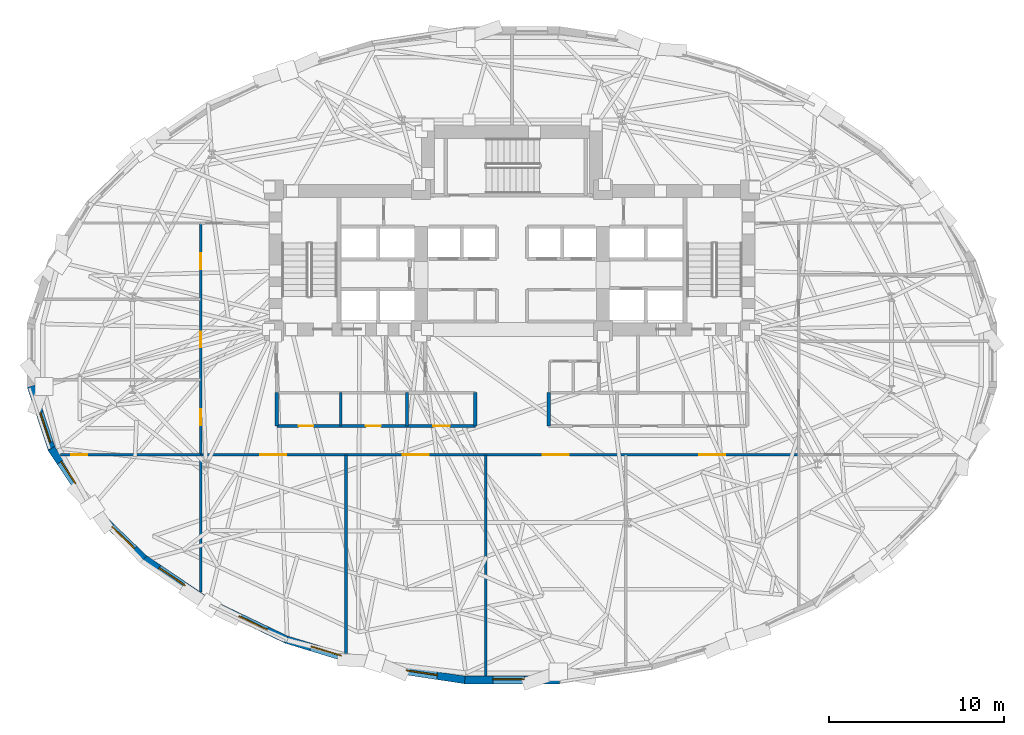
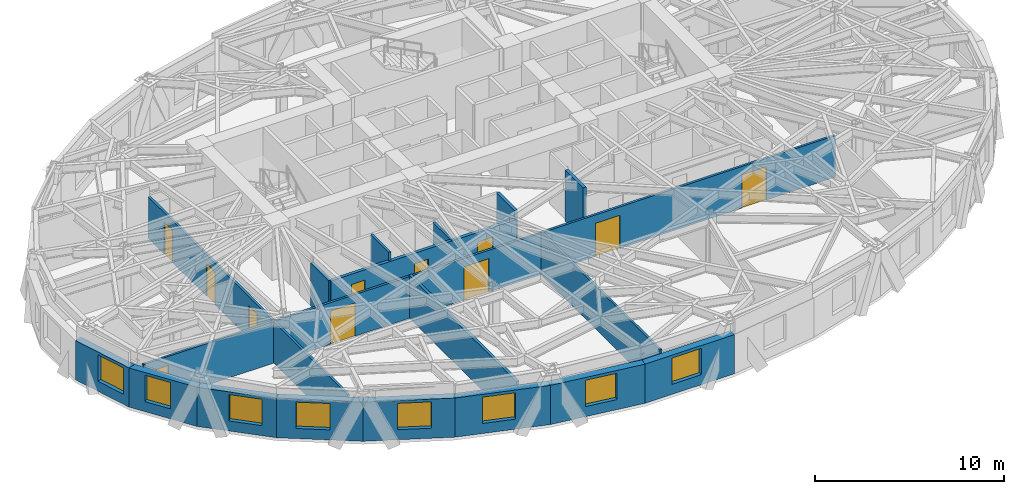
# One storey, part 6 of 15: 19 walls, 11 doors, 8 windows, 19 openings.
"""IFC4 building model written with IfcOpenShell, lengths in metres."""

from ifc_helpers import new_model, si_unit, direction, frame, frame_2d, origin, place, context, subcontext, project, spatial, rectangle, extrude, material, layer, layer_set, type_object, element, fill, save


model = new_model("IFC4")

# Units and contexts
model_context = context("Model", 3, precision=1e-05, world=origin(), true_north=direction((0.0, 1.0)))
body_context = subcontext(model_context, "Body", "Model", "MODEL_VIEW")
ifc_project = project(units=[si_unit("LENGTHUNIT", "METRE"), si_unit("AREAUNIT", "SQUARE_METRE"), si_unit("VOLUMEUNIT", "CUBIC_METRE"), si_unit("PLANEANGLEUNIT", "RADIAN"), si_unit("MASSUNIT", "GRAM", prefix="KILO")], contexts=[model_context])

# Site, building, storey
site_placement = place(None, origin())
site = spatial("IfcSite", under=ifc_project, at=site_placement, CompositionType="ELEMENT")
building_placement = place(site_placement, origin())
building = spatial("IfcBuilding", under=site, at=building_placement, Name="Keldmark Tower", CompositionType="ELEMENT")
storey_placement = place(building_placement, frame((0.0, 0.0, 110.60009765625)))
storey = spatial("IfcBuildingStorey", under=building, at=storey_placement, Name="L29", CompositionType="ELEMENT", Elevation=110.60009765625)

# Wall, openings, doors
ifc_material_1 = material(Name="Acoustic Double-Layer Gypsum Corridor Partition", Category="gypsum")
ifc_layer_1 = layer(ifc_material_1, 0.139892578125)
ifc_layer_set_1 = layer_set([ifc_layer_1], Name="Acoustic Double-Layer Gypsum Corridor Partition")
wall_type_1 = type_object("IfcWallType", Name="Acoustic Corridor Partition 140 mm", PredefinedType="PARTITIONING", material=ifc_layer_set_1)
wall_1_placement = place(storey_placement, frame((-17.800048828125, -5.699951171875, 0.0), z_axis=(0.0, 0.0, 1.0), x_axis=(1.0, 0.0, 0.0)))
wall_1 = element("IfcWall", 1, at=wall_1_placement, inside=storey, type_object=wall_type_1, Name="L29 Acoustic Corridor Partition 140 mm COR-S", PredefinedType="PARTITIONING", context=body_context, shape_type="SweptSolid", body=[
    extrude(rectangle(XDim=34.199951171875, YDim=0.139892578125, at=frame_2d((17.10009765625, 0.0))), origin(), (0.0, 0.0, 1.0), 2.68798828125),
])
opening_1_placement = place(wall_1_placement, frame((3.39990234375, 0.0, 0.0)))
opening_1 = element("IfcOpeningElement", 2, at=opening_1_placement, cuts=wall_1, Name="Opening D-CF150", PredefinedType="OPENING", context=body_context, shape_type="SweptSolid", body=[
    extrude(rectangle(XDim=1.5, YDim=2.14990234375, at=frame_2d((0.75, 1.074951171875))), frame((0.0, 0.079833984375, 0.0), z_axis=(0.0, -1.0, 0.0), x_axis=(1.0, 0.0, 0.0)), (0.0, 0.0, 1.0), 0.159912109375),
])
opening_2_placement = place(wall_1_placement, frame((11.550048828125, 0.0, 0.0)))
opening_2 = element("IfcOpeningElement", 3, at=opening_2_placement, cuts=wall_1, Name="Opening D-CF150", PredefinedType="OPENING", context=body_context, shape_type="SweptSolid", body=[
    extrude(rectangle(XDim=1.5, YDim=2.14990234375, at=frame_2d((0.75, 1.074951171875))), frame((0.0, 0.079833984375, 0.0), z_axis=(0.0, -1.0, 0.0), x_axis=(1.0, 0.0, 0.0)), (0.0, 0.0, 1.0), 0.159912109375),
])
opening_3_placement = place(wall_1_placement, frame((19.550048828125, 0.0, 0.0)))
opening_3 = element("IfcOpeningElement", 4, at=opening_3_placement, cuts=wall_1, Name="Opening D-CF150", PredefinedType="OPENING", context=body_context, shape_type="SweptSolid", body=[
    extrude(rectangle(XDim=1.5, YDim=2.14990234375, at=frame_2d((0.75, 1.074951171875))), frame((0.0, 0.079833984375, 0.0), z_axis=(0.0, -1.0, 0.0), x_axis=(1.0, 0.0, 0.0)), (0.0, 0.0, 1.0), 0.159912109375),
])
opening_4_placement = place(wall_1_placement, frame((28.5, 0.0, 0.0)))
opening_4 = element("IfcOpeningElement", 5, at=opening_4_placement, cuts=wall_1, Name="Opening D-CF150", PredefinedType="OPENING", context=body_context, shape_type="SweptSolid", body=[
    extrude(rectangle(XDim=1.5, YDim=2.14990234375, at=frame_2d((0.75, 1.074951171875))), frame((0.0, 0.079833984375, 0.0), z_axis=(0.0, -1.0, 0.0), x_axis=(1.0, 0.0, 0.0)), (0.0, 0.0, 1.0), 0.159912109375),
])
ifc_material_2 = material(Name="Acoustic Timber and Tempered Glass Double Door", Category="wood")
door_type_1 = type_object("IfcDoorType", Name="Conference Double Door 1500x2150", OperationType="DOUBLE_DOOR_SINGLE_SWING", PredefinedType="DOOR", material=ifc_material_2)
door_1_placement = place(opening_1_placement, origin())
door_1 = element("IfcDoor", 6, at=door_1_placement, inside=storey, type_object=door_type_1, Name="L29 Conference Double Door 1500x2150 D-SR-1-L29", OperationType="DOUBLE_DOOR_SINGLE_SWING", OverallHeight=2.14990234375, OverallWidth=1.5, PredefinedType="DOOR", context=body_context, shape_type="SweptSolid", body=[
    extrude(rectangle(XDim=1.5, YDim=2.14990234375, at=frame_2d((0.75, 1.074951171875))), frame((0.0, 0.02490234375, 0.0), z_axis=(0.0, -1.0, 0.0), x_axis=(1.0, 0.0, 0.0)), (0.0, 0.0, 1.0), 0.050048828125),
])
fill(opening_1, door_1)
door_2_placement = place(opening_2_placement, origin())
door_2 = element("IfcDoor", 7, at=door_2_placement, inside=storey, type_object=door_type_1, Name="L29 Conference Double Door 1500x2150 D-SR-2-L29", OperationType="DOUBLE_DOOR_SINGLE_SWING", OverallHeight=2.14990234375, OverallWidth=1.5, PredefinedType="DOOR", context=body_context, shape_type="SweptSolid", body=[
    extrude(rectangle(XDim=1.5, YDim=2.14990234375, at=frame_2d((0.75, 1.074951171875))), frame((0.0, 0.02490234375, 0.0), z_axis=(0.0, -1.0, 0.0), x_axis=(1.0, 0.0, 0.0)), (0.0, 0.0, 1.0), 0.050048828125),
])
fill(opening_2, door_2)
door_3_placement = place(opening_3_placement, origin())
door_3 = element("IfcDoor", 8, at=door_3_placement, inside=storey, type_object=door_type_1, Name="L29 Conference Double Door 1500x2150 D-SR-3-L29", OperationType="DOUBLE_DOOR_SINGLE_SWING", OverallHeight=2.14990234375, OverallWidth=1.5, PredefinedType="DOOR", context=body_context, shape_type="SweptSolid", body=[
    extrude(rectangle(XDim=1.5, YDim=2.14990234375, at=frame_2d((0.75, 1.074951171875))), frame((0.0, 0.02490234375, 0.0), z_axis=(0.0, -1.0, 0.0), x_axis=(1.0, 0.0, 0.0)), (0.0, 0.0, 1.0), 0.050048828125),
])
fill(opening_3, door_3)
door_4_placement = place(opening_4_placement, origin())
door_4 = element("IfcDoor", 9, at=door_4_placement, inside=storey, type_object=door_type_1, Name="L29 Conference Double Door 1500x2150 D-SR-4-L29", OperationType="DOUBLE_DOOR_SINGLE_SWING", OverallHeight=2.14990234375, OverallWidth=1.5, PredefinedType="DOOR", context=body_context, shape_type="SweptSolid", body=[
    extrude(rectangle(XDim=1.5, YDim=2.14990234375, at=frame_2d((0.75, 1.074951171875))), frame((0.0, 0.02490234375, 0.0), z_axis=(0.0, -1.0, 0.0), x_axis=(1.0, 0.0, 0.0)), (0.0, 0.0, 1.0), 0.050048828125),
])
fill(opening_4, door_4)

wall_2_placement = place(storey_placement, frame((-17.800048828125, -13.544921875, 0.0), z_axis=(0.0, 0.0, 1.0), x_axis=(0.0, 1.0, 0.0)))
wall_2 = element("IfcWall", 10, at=wall_2_placement, inside=storey, type_object=wall_type_1, Name="L29 Acoustic Corridor Partition 140 mm COR-W", PredefinedType="PARTITIONING", context=body_context, shape_type="SweptSolid", body=[
    extrude(rectangle(XDim=21.094970703125, YDim=0.139892578125, at=frame_2d((10.54736328125, 0.0))), origin(), (0.0, 0.0, 1.0), 2.68798828125),
])
opening_5_placement = place(wall_2_placement, frame((9.544677734375, 0.0, 0.0)))
opening_5 = element("IfcOpeningElement", 11, at=opening_5_placement, cuts=wall_2, Name="Opening D-IN090", PredefinedType="OPENING", context=body_context, shape_type="SweptSolid", body=[
    extrude(rectangle(XDim=0.89990234375, YDim=2.10009765625, at=frame_2d((0.449951171875, 1.050048828125))), frame((0.0, 0.079833984375, 0.0), z_axis=(0.0, -1.0, 0.0), x_axis=(1.0, 0.0, 0.0)), (0.0, 0.0, 1.0), 0.159912109375),
])
opening_6_placement = place(wall_2_placement, frame((13.99462890625, 0.0, 0.0)))
opening_6 = element("IfcOpeningElement", 12, at=opening_6_placement, cuts=wall_2, Name="Opening D-IN090", PredefinedType="OPENING", context=body_context, shape_type="SweptSolid", body=[
    extrude(rectangle(XDim=0.89990234375, YDim=2.10009765625, at=frame_2d((0.449951171875, 1.050048828125))), frame((0.0, 0.079833984375, 0.0), z_axis=(0.0, -1.0, 0.0), x_axis=(1.0, 0.0, 0.0)), (0.0, 0.0, 1.0), 0.159912109375),
])
opening_7_placement = place(wall_2_placement, frame((18.469482421875, 0.0, 0.0)))
opening_7 = element("IfcOpeningElement", 13, at=opening_7_placement, cuts=wall_2, Name="Opening D-IN090", PredefinedType="OPENING", context=body_context, shape_type="SweptSolid", body=[
    extrude(rectangle(XDim=0.89990234375, YDim=2.10009765625, at=frame_2d((0.449951171875, 1.050048828125))), frame((0.0, 0.079833984375, 0.0), z_axis=(0.0, -1.0, 0.0), x_axis=(1.0, 0.0, 0.0)), (0.0, 0.0, 1.0), 0.159912109375),
])
ifc_material_3 = material(Name="Stained American White Oak Veneer", Category="wood")
door_type_2 = type_object("IfcDoorType", Name="Interior Door 900x2100", OperationType="NOTDEFINED", PredefinedType="DOOR", material=ifc_material_3)
door_5_placement = place(opening_5_placement, origin())
door_5 = element("IfcDoor", 14, at=door_5_placement, inside=storey, type_object=door_type_2, Name="L29 Interior Door 900x2100 D-WR-1-L29", OperationType="SINGLE_SWING_LEFT", OverallHeight=2.10009765625, OverallWidth=0.89990234375, PredefinedType="DOOR", context=body_context, shape_type="SweptSolid", body=[
    extrude(rectangle(XDim=0.89990234375, YDim=2.10009765625, at=frame_2d((0.449951171875, 1.050048828125))), frame((0.0, 0.02490234375, 0.0), z_axis=(0.0, -1.0, 0.0), x_axis=(1.0, 0.0, 0.0)), (0.0, 0.0, 1.0), 0.050048828125),
])
fill(opening_5, door_5)
door_6_placement = place(opening_6_placement, origin())
door_6 = element("IfcDoor", 15, at=door_6_placement, inside=storey, type_object=door_type_2, Name="L29 Interior Door 900x2100 D-WR-2-L29", OperationType="SINGLE_SWING_RIGHT", OverallHeight=2.10009765625, OverallWidth=0.89990234375, PredefinedType="DOOR", context=body_context, shape_type="SweptSolid", body=[
    extrude(rectangle(XDim=0.89990234375, YDim=2.10009765625, at=frame_2d((0.449951171875, 1.050048828125))), frame((0.0, 0.02490234375, 0.0), z_axis=(0.0, -1.0, 0.0), x_axis=(1.0, 0.0, 0.0)), (0.0, 0.0, 1.0), 0.050048828125),
])
fill(opening_6, door_6)
door_7_placement = place(opening_7_placement, origin())
door_7 = element("IfcDoor", 16, at=door_7_placement, inside=storey, type_object=door_type_2, Name="L29 Interior Door 900x2100 D-WR-3-L29", OperationType="SINGLE_SWING_LEFT", OverallHeight=2.10009765625, OverallWidth=0.89990234375, PredefinedType="DOOR", context=body_context, shape_type="SweptSolid", body=[
    extrude(rectangle(XDim=0.89990234375, YDim=2.10009765625, at=frame_2d((0.449951171875, 1.050048828125))), frame((0.0, 0.02490234375, 0.0), z_axis=(0.0, -1.0, 0.0), x_axis=(1.0, 0.0, 0.0)), (0.0, 0.0, 1.0), 0.050048828125),
])
fill(opening_7, door_7)

# Wall
ifc_material_4 = material(Name="STC-58 Insulated Tenant Demising Gypsum Partition", Category="gypsum")
ifc_layer_2 = layer(ifc_material_4, 0.175048828125)
ifc_layer_set_2 = layer_set([ifc_layer_2], Name="STC-58 Insulated Tenant Demising Gypsum Partition")
wall_type_2 = type_object("IfcWallType", Name="Demising Suite Partition 175 mm", PredefinedType="PARTITIONING", material=ifc_layer_set_2)
wall_3_placement = place(storey_placement, frame((-9.5, -17.06591796875, 0.0), z_axis=(0.0, 0.0, 1.0), x_axis=(0.0, 1.0, 0.0)))
element("IfcWall", 17, at=wall_3_placement, inside=storey, type_object=wall_type_2, Name="L29 Demising Suite Partition 175 mm S-DIV-1", PredefinedType="PARTITIONING", context=body_context, shape_type="SweptSolid", body=[
    extrude(rectangle(XDim=11.365966796875, YDim=0.175048828125, at=frame_2d((5.68310546875, 0.0))), origin(), (0.0, 0.0, 1.0), 2.762939453125),
])

# Wall, openings, doors
ifc_material_5 = material(Name="Heavy Acoustic Plumbing Chase Gypsum Assembly", Category="gypsum")
ifc_layer_3 = layer(ifc_material_5, 0.18994140625)
ifc_layer_set_3 = layer_set([ifc_layer_3], Name="Heavy Acoustic Plumbing Chase Gypsum Assembly")
wall_type_3 = type_object("IfcWallType", Name="Heavy Wet Wall 190 mm", PredefinedType="PLUMBINGWALL", material=ifc_layer_set_3)
wall_4_placement = place(storey_placement, frame((-13.449951171875, -4.050048828125, 0.0), z_axis=(0.0, 0.0, 1.0), x_axis=(1.0, 0.0, 0.0)))
wall_4 = element("IfcWall", 18, at=wall_4_placement, inside=storey, type_object=wall_type_3, Name="L29 Heavy Wet Wall 190 mm SPK-W-S", PredefinedType="PLUMBINGWALL", context=body_context, shape_type="SweptSolid", body=[
    extrude(rectangle(XDim=11.349853515625, YDim=0.18994140625, at=frame_2d((5.6748046875, 0.0))), origin(), (0.0, 0.0, 1.0), 2.762939453125),
])
opening_8_placement = place(wall_4_placement, frame((1.25, 0.0, 0.0)))
opening_8 = element("IfcOpeningElement", 19, at=opening_8_placement, cuts=wall_4, Name="Opening D-WC085", PredefinedType="OPENING", context=body_context, shape_type="SweptSolid", body=[
    extrude(rectangle(XDim=0.85009765625, YDim=2.10009765625, at=frame_2d((0.425048828125, 1.050048828125))), frame((0.0, 0.10498046875, 0.0), z_axis=(0.0, -1.0, 0.0), x_axis=(1.0, 0.0, 0.0)), (0.0, 0.0, 1.0), 0.2099609375),
])
opening_9_placement = place(wall_4_placement, frame((5.10009765625, 0.0, 0.0)))
opening_9 = element("IfcOpeningElement", 20, at=opening_9_placement, cuts=wall_4, Name="Opening D-WC085", PredefinedType="OPENING", context=body_context, shape_type="SweptSolid", body=[
    extrude(rectangle(XDim=0.85009765625, YDim=2.10009765625, at=frame_2d((0.425048828125, 1.050048828125))), frame((0.0, 0.10498046875, 0.0), z_axis=(0.0, -1.0, 0.0), x_axis=(1.0, 0.0, 0.0)), (0.0, 0.0, 1.0), 0.2099609375),
])
opening_10_placement = place(wall_4_placement, frame((8.949951171875, 0.0, 0.0)))
opening_10 = element("IfcOpeningElement", 21, at=opening_10_placement, cuts=wall_4, Name="Opening D-AWC95", PredefinedType="OPENING", context=body_context, shape_type="SweptSolid", body=[
    extrude(rectangle(XDim=0.949951171875, YDim=2.14990234375, at=frame_2d((0.47509765625, 1.074951171875))), frame((0.0, 0.10498046875, 0.0), z_axis=(0.0, -1.0, 0.0), x_axis=(1.0, 0.0, 0.0)), (0.0, 0.0, 1.0), 0.2099609375),
])
ifc_material_6 = material(Name="Painted Solid-Core Architectural Wood", Category="wood")
door_type_3 = type_object("IfcDoorType", Name="Accessible WC Door 950x2150", OperationType="NOTDEFINED", PredefinedType="DOOR", material=ifc_material_6)
door_8_placement = place(opening_10_placement, origin())
door_8 = element("IfcDoor", 22, at=door_8_placement, inside=storey, type_object=door_type_3, Name="L29 Accessible WC Door 950x2150 D-SPKW3-L29", OperationType="SINGLE_SWING_LEFT", OverallHeight=2.14990234375, OverallWidth=0.949951171875, PredefinedType="DOOR", context=body_context, shape_type="SweptSolid", body=[
    extrude(rectangle(XDim=0.949951171875, YDim=2.14990234375, at=frame_2d((0.47509765625, 1.074951171875))), frame((0.0, 0.02490234375, 0.0), z_axis=(0.0, -1.0, 0.0), x_axis=(1.0, 0.0, 0.0)), (0.0, 0.0, 1.0), 0.050048828125),
])
fill(opening_10, door_8)
ifc_material_7 = material(Name="Moisture-Sealed Painted Wood", Category="wood")
door_type_4 = type_object("IfcDoorType", Name="WC Door 850x2100", OperationType="NOTDEFINED", PredefinedType="DOOR", material=ifc_material_7)
door_9_placement = place(opening_8_placement, origin())
door_9 = element("IfcDoor", 23, at=door_9_placement, inside=storey, type_object=door_type_4, Name="L29 WC Door 850x2100 D-SPKW1-L29", OperationType="SINGLE_SWING_LEFT", OverallHeight=2.10009765625, OverallWidth=0.85009765625, PredefinedType="DOOR", context=body_context, shape_type="SweptSolid", body=[
    extrude(rectangle(XDim=0.85009765625, YDim=2.10009765625, at=frame_2d((0.425048828125, 1.050048828125))), frame((0.0, 0.02490234375, 0.0), z_axis=(0.0, -1.0, 0.0), x_axis=(1.0, 0.0, 0.0)), (0.0, 0.0, 1.0), 0.050048828125),
])
fill(opening_8, door_9)
door_10_placement = place(opening_9_placement, origin())
door_10 = element("IfcDoor", 24, at=door_10_placement, inside=storey, type_object=door_type_4, Name="L29 WC Door 850x2100 D-SPKW2-L29", OperationType="SINGLE_SWING_RIGHT", OverallHeight=2.10009765625, OverallWidth=0.85009765625, PredefinedType="DOOR", context=body_context, shape_type="SweptSolid", body=[
    extrude(rectangle(XDim=0.85009765625, YDim=2.10009765625, at=frame_2d((0.425048828125, 1.050048828125))), frame((0.0, 0.02490234375, 0.0), z_axis=(0.0, -1.0, 0.0), x_axis=(1.0, 0.0, 0.0)), (0.0, 0.0, 1.0), 0.050048828125),
])
fill(opening_9, door_10)

# Walls
wall_5_placement = place(storey_placement, frame((-13.449951171875, -4.050048828125, 0.0), z_axis=(0.0, 0.0, 1.0), x_axis=(0.0, 1.0, 0.0)))
element("IfcWall", 25, at=wall_5_placement, inside=storey, type_object=wall_type_3, Name="L29 Heavy Wet Wall 190 mm SPK-W-W", PredefinedType="PLUMBINGWALL", context=body_context, shape_type="SweptSolid", body=[
    extrude(rectangle(XDim=1.900146484375, YDim=0.18994140625, at=frame_2d((0.9501953125, 0.0))), origin(), (0.0, 0.0, 1.0), 2.762939453125),
])
for number, where, z_axis, x_axis, name in (
    (26, (-2.10009765625, -4.050048828125, 0.0), (0.0, 0.0, 1.0), (0.0, 1.0, 0.0), "L29 Heavy Wet Wall 190 mm SPK-W-E"),
    (27, (2.10009765625, -4.050048828125, 0.0), (0.0, 0.0, 1.0), (0.0, 1.0, 0.0), "L29 Heavy Wet Wall 190 mm SPK-E-W"),
):
    element("IfcWall", number, at=place(storey_placement, frame(where, z_axis=z_axis, x_axis=x_axis)), inside=storey, type_object=wall_type_3, Name=name, PredefinedType="PLUMBINGWALL", context=body_context, shape_type="SweptSolid", body=[
        extrude(rectangle(XDim=1.900146484375, YDim=0.18994140625, at=frame_2d((0.9501953125, 0.0))), origin(), (0.0, 0.0, 1.0), 3.309814453125),
    ])
ifc_material_8 = material(Name="Acoustic Gypsum Board Interior Partition", Category="gypsum")
ifc_layer_4 = layer(ifc_material_8, 0.1298828125)
ifc_layer_set_4 = layer_set([ifc_layer_4], Name="Acoustic Gypsum Board Interior Partition")
wall_type_4 = type_object("IfcWallType", Name="Interior Partition 130 mm", PredefinedType="PARTITIONING", material=ifc_layer_set_4)
wall_6_placement = place(storey_placement, frame((-1.5, -18.34033203125, 0.0), z_axis=(0.0, 0.0, 1.0), x_axis=(0.0, 1.0, 0.0)))
element("IfcWall", 28, at=wall_6_placement, inside=storey, type_object=wall_type_4, Name="L29 Interior Partition 130 mm S-DIV-2", PredefinedType="PARTITIONING", context=body_context, shape_type="SweptSolid", body=[
    extrude(rectangle(XDim=12.640380859375, YDim=0.1298828125, at=frame_2d((6.3203125, 0.0))), origin(), (0.0, 0.0, 1.0), 2.762939453125),
])

# Wall, opening, door
wall_7_placement = place(storey_placement, frame((-25.82080078125, -5.699951171875, 0.0), z_axis=(0.0, 0.0, 1.0), x_axis=(1.0, 0.0, 0.0)))
wall_7 = element("IfcWall", 29, at=wall_7_placement, inside=storey, type_object=wall_type_4, Name="L29 Interior Partition 130 mm W-CAP-S", PredefinedType="PARTITIONING", context=body_context, shape_type="SweptSolid", body=[
    extrude(rectangle(XDim=8.020751953125, YDim=0.1298828125, at=frame_2d((4.01025390625, 0.0))), origin(), (0.0, 0.0, 1.0), 2.68798828125),
])
opening_11_placement = place(wall_7_placement, frame((0.6298828125, 0.0, 0.0)))
opening_11 = element("IfcOpeningElement", 30, at=opening_11_placement, cuts=wall_7, Name="Opening D-IN090", PredefinedType="OPENING", context=body_context, shape_type="SweptSolid", body=[
    extrude(rectangle(XDim=0.89990234375, YDim=2.10009765625, at=frame_2d((0.449951171875, 1.050048828125))), frame((0.0, 0.074951171875, 0.0), z_axis=(0.0, -1.0, 0.0), x_axis=(1.0, 0.0, 0.0)), (0.0, 0.0, 1.0), 0.14990234375),
])
door_11_placement = place(opening_11_placement, origin())
door_11 = element("IfcDoor", 31, at=door_11_placement, inside=storey, type_object=door_type_2, Name="L29 Interior Door 900x2100 D-WRSW-L29", OperationType="SINGLE_SWING_LEFT", OverallHeight=2.10009765625, OverallWidth=0.89990234375, PredefinedType="DOOR", context=body_context, shape_type="SweptSolid", body=[
    extrude(rectangle(XDim=0.89990234375, YDim=2.10009765625, at=frame_2d((0.449951171875, 1.050048828125))), frame((0.0, 0.02490234375, 0.0), z_axis=(0.0, -1.0, 0.0), x_axis=(1.0, 0.0, 0.0)), (0.0, 0.0, 1.0), 0.050048828125),
])
fill(opening_11, door_11)

# Wall, opening, window
ifc_material_9 = material(Name="Ironspot Manganese Brick and Kasota Buff Limestone Spandrel Assembly", Category="masonry")
ifc_layer_5 = layer(ifc_material_9, 0.43994140625)
ifc_layer_set_5 = layer_set([ifc_layer_5], Name="Ironspot Manganese Brick and Kasota Buff Limestone Spandrel Assembly")
wall_type_5 = type_object("IfcWallType", Name="Tower Brick Pier and Spandrel Wall 440 mm", PredefinedType="STANDARD", material=ifc_layer_set_5)
wall_8_placement = place(storey_placement, frame((-26.313720703125, -5.385009765625, 0.0), z_axis=(0.0, 0.0, 1.0), x_axis=(-0.314316911692, 0.94931811266, 0.0)))
wall_8 = element("IfcWall", 32, at=wall_8_placement, inside=storey, type_object=wall_type_5, Name="L29 Exterior Brick and Spandrel Wall 17", PredefinedType="STANDARD", context=body_context, shape_type="SweptSolid", body=[
    extrude(rectangle(XDim=3.7958984375, YDim=0.43994140625, at=frame_2d((1.89794921875, 0.0))), origin(), (0.0, 0.0, 1.0), 2.531982421875),
])
opening_12_placement = place(wall_8_placement, frame((0.3994140625, 0.0, 0.64990234375)))
opening_12 = element("IfcOpeningElement", 33, at=opening_12_placement, cuts=wall_8, Name="Opening W-02", PredefinedType="OPENING", context=body_context, shape_type="SweptSolid", body=[
    extrude(rectangle(XDim=1.800048828125, YDim=1.699951171875, at=frame_2d((0.89990234375, 0.85009765625))), frame((0.0, 0.22998046875, 0.0), z_axis=(0.0, -1.0, 0.0), x_axis=(1.0, 0.0, 0.0)), (0.0, 0.0, 1.0), 0.4599609375),
])
ifc_material_10 = material(Name="Thermally Broken Anodized Aluminum and Triple Low-E Argon Glazing", Category="aluminium")
window_type_1 = type_object("IfcWindowType", Name="Office Deep-Set Triple Window 1800x1700", PartitioningType="TRIPLE_PANEL_VERTICAL", PredefinedType="WINDOW", material=ifc_material_10)
window_1_placement = place(opening_12_placement, origin())
window_1 = element("IfcWindow", 34, at=window_1_placement, inside=storey, type_object=window_type_1, Name="L29 Deep-Set Window 17", OverallHeight=1.699951171875, OverallWidth=1.800048828125, PartitioningType="SINGLE_PANEL", PredefinedType="WINDOW", context=body_context, shape_type="SweptSolid", body=[
    extrude(rectangle(XDim=1.800048828125, YDim=1.699951171875, at=frame_2d((0.89990234375, 0.85009765625))), frame((0.0, -0.010009765625, 0.0), z_axis=(0.0, -1.0, 0.0), x_axis=(1.0, 0.0, 0.0)), (0.0, 0.0, 1.0), 0.06005859375),
])
fill(opening_12, window_1)

wall_9_placement = place(storey_placement, frame((-24.10986328125, -8.680419921875, 0.0), z_axis=(0.0, 0.0, 1.0), x_axis=(-0.554293965046, 0.83232097193, 0.0)))
wall_9 = element("IfcWall", 35, at=wall_9_placement, inside=storey, type_object=wall_type_5, Name="L29 Exterior Brick and Spandrel Wall 18", PredefinedType="STANDARD", context=body_context, shape_type="SweptSolid", body=[
    extrude(rectangle(XDim=4.022705078125, YDim=0.43994140625, at=frame_2d((2.01123046875, 0.0))), origin(), (0.0, 0.0, 1.0), 2.52783203125),
])
opening_13_placement = place(wall_9_placement, frame((1.582275390625, 0.0, 0.64990234375)))
opening_13 = element("IfcOpeningElement", 36, at=opening_13_placement, cuts=wall_9, Name="Opening W-03", PredefinedType="OPENING", context=body_context, shape_type="SweptSolid", body=[
    extrude(rectangle(XDim=1.5, YDim=1.699951171875, at=frame_2d((0.75, 0.85009765625))), frame((0.0, 0.22998046875, 0.0), z_axis=(0.0, -1.0, 0.0), x_axis=(1.0, 0.0, 0.0)), (0.0, 0.0, 1.0), 0.4599609375),
])
ifc_material_11 = material(Name="Thermally Broken Anodized Aluminum and Triple Low-E Argon Glazing", Category="aluminium")
window_type_2 = type_object("IfcWindowType", Name="Office Corner Deep-Set Window 1500x1700", PartitioningType="DOUBLE_PANEL_VERTICAL", PredefinedType="WINDOW", material=ifc_material_11)
window_2_placement = place(opening_13_placement, origin())
window_2 = element("IfcWindow", 37, at=window_2_placement, inside=storey, type_object=window_type_2, Name="L29 Deep-Set Window 18", OverallHeight=1.699951171875, OverallWidth=1.5, PartitioningType="SINGLE_PANEL", PredefinedType="WINDOW", context=body_context, shape_type="SweptSolid", body=[
    extrude(rectangle(XDim=1.5, YDim=1.699951171875, at=frame_2d((0.75, 0.85009765625))), frame((0.0, -0.010009765625, 0.0), z_axis=(0.0, -1.0, 0.0), x_axis=(1.0, 0.0, 0.0)), (0.0, 0.0, 1.0), 0.06005859375),
])
fill(opening_13, window_2)

wall_10_placement = place(storey_placement, frame((-21.037109375, -11.6298828125, 0.0), z_axis=(0.0, 0.0, 1.0), x_axis=(-0.720581378362, 0.693370375166, 0.0)))
wall_10 = element("IfcWall", 38, at=wall_10_placement, inside=storey, type_object=wall_type_5, Name="L29 Exterior Brick and Spandrel Wall 19", PredefinedType="STANDARD", context=body_context, shape_type="SweptSolid", body=[
    extrude(rectangle(XDim=4.306640625, YDim=0.43994140625, at=frame_2d((2.1533203125, 0.0))), origin(), (0.0, 0.0, 1.0), 2.52783203125),
])
opening_14_placement = place(wall_10_placement, frame((0.787841796875, 0.0, 0.64990234375)))
opening_14 = element("IfcOpeningElement", 39, at=opening_14_placement, cuts=wall_10, Name="Opening W-02", PredefinedType="OPENING", context=body_context, shape_type="SweptSolid", body=[
    extrude(rectangle(XDim=1.800048828125, YDim=1.699951171875, at=frame_2d((0.89990234375, 0.85009765625))), frame((0.0, 0.22998046875, 0.0), z_axis=(0.0, -1.0, 0.0), x_axis=(1.0, 0.0, 0.0)), (0.0, 0.0, 1.0), 0.4599609375),
])
window_3_placement = place(opening_14_placement, origin())
window_3 = element("IfcWindow", 40, at=window_3_placement, inside=storey, type_object=window_type_1, Name="L29 Deep-Set Window 19", OverallHeight=1.699951171875, OverallWidth=1.800048828125, PartitioningType="SINGLE_PANEL", PredefinedType="WINDOW", context=body_context, shape_type="SweptSolid", body=[
    extrude(rectangle(XDim=1.800048828125, YDim=1.699951171875, at=frame_2d((0.89990234375, 0.85009765625))), frame((0.0, -0.010009765625, 0.0), z_axis=(0.0, -1.0, 0.0), x_axis=(1.0, 0.0, 0.0)), (0.0, 0.0, 1.0), 0.06005859375),
])
fill(opening_14, window_3)

wall_11_placement = place(storey_placement, frame((-17.266357421875, -14.18212890625, 0.0), z_axis=(0.0, 0.0, 1.0), x_axis=(-0.827754551165, 0.56109036975, 0.0)))
wall_11 = element("IfcWall", 41, at=wall_11_placement, inside=storey, type_object=wall_type_5, Name="L29 Exterior Brick and Spandrel Wall 20", PredefinedType="STANDARD", context=body_context, shape_type="SweptSolid", body=[
    extrude(rectangle(XDim=4.590576171875, YDim=0.43994140625, at=frame_2d((2.29541015625, 0.0))), origin(), (0.0, 0.0, 1.0), 2.52783203125),
])
opening_15_placement = place(wall_11_placement, frame((1.743896484375, 0.0, 0.64990234375)))
opening_15 = element("IfcOpeningElement", 42, at=opening_15_placement, cuts=wall_11, Name="Opening W-02", PredefinedType="OPENING", context=body_context, shape_type="SweptSolid", body=[
    extrude(rectangle(XDim=1.800048828125, YDim=1.699951171875, at=frame_2d((0.89990234375, 0.85009765625))), frame((0.0, 0.22998046875, 0.0), z_axis=(0.0, -1.0, 0.0), x_axis=(1.0, 0.0, 0.0)), (0.0, 0.0, 1.0), 0.4599609375),
])
window_4_placement = place(opening_15_placement, origin())
window_4 = element("IfcWindow", 43, at=window_4_placement, inside=storey, type_object=window_type_1, Name="L29 Deep-Set Window 20", OverallHeight=1.699951171875, OverallWidth=1.800048828125, PartitioningType="SINGLE_PANEL", PredefinedType="WINDOW", context=body_context, shape_type="SweptSolid", body=[
    extrude(rectangle(XDim=1.800048828125, YDim=1.699951171875, at=frame_2d((0.89990234375, 0.85009765625))), frame((0.0, -0.010009765625, 0.0), z_axis=(0.0, -1.0, 0.0), x_axis=(1.0, 0.0, 0.0)), (0.0, 0.0, 1.0), 0.06005859375),
])
fill(opening_15, window_4)

wall_12_placement = place(storey_placement, frame((-12.889892578125, -16.26953125, 0.0), z_axis=(0.0, 0.0, 1.0), x_axis=(-0.902372757907, 0.430956385018, 0.0)))
wall_12 = element("IfcWall", 44, at=wall_12_placement, inside=storey, type_object=wall_type_5, Name="L29 Exterior Brick and Spandrel Wall 21", PredefinedType="STANDARD", context=body_context, shape_type="SweptSolid", body=[
    extrude(rectangle(XDim=4.881591796875, YDim=0.43994140625, at=frame_2d((2.44091796875, 0.0))), origin(), (0.0, 0.0, 1.0), 2.52783203125),
])
opening_16_placement = place(wall_12_placement, frame((1.242919921875, 0.0, 0.64990234375)))
opening_16 = element("IfcOpeningElement", 45, at=opening_16_placement, cuts=wall_12, Name="Opening W-02", PredefinedType="OPENING", context=body_context, shape_type="SweptSolid", body=[
    extrude(rectangle(XDim=1.800048828125, YDim=1.699951171875, at=frame_2d((0.89990234375, 0.85009765625))), frame((0.0, 0.22998046875, 0.0), z_axis=(0.0, -1.0, 0.0), x_axis=(1.0, 0.0, 0.0)), (0.0, 0.0, 1.0), 0.4599609375),
])
window_5_placement = place(opening_16_placement, origin())
window_5 = element("IfcWindow", 46, at=window_5_placement, inside=storey, type_object=window_type_1, Name="L29 Deep-Set Window 21", OverallHeight=1.699951171875, OverallWidth=1.800048828125, PartitioningType="SINGLE_PANEL", PredefinedType="WINDOW", context=body_context, shape_type="SweptSolid", body=[
    extrude(rectangle(XDim=1.800048828125, YDim=1.699951171875, at=frame_2d((0.89990234375, 0.85009765625))), frame((0.0, -0.010009765625, 0.0), z_axis=(0.0, -1.0, 0.0), x_axis=(1.0, 0.0, 0.0)), (0.0, 0.0, 1.0), 0.06005859375),
])
fill(opening_16, window_5)

wall_13_placement = place(storey_placement, frame((-7.981201171875, -17.769287109375, 0.0), z_axis=(0.0, 0.0, 1.0), x_axis=(-0.956228569431, 0.292620783617, 0.0)))
wall_13 = element("IfcWall", 47, at=wall_13_placement, inside=storey, type_object=wall_type_5, Name="L29 Exterior Brick and Spandrel Wall 22", PredefinedType="STANDARD", context=body_context, shape_type="SweptSolid", body=[
    extrude(rectangle(XDim=5.165283203125, YDim=0.43994140625, at=frame_2d((2.58251953125, 0.0))), origin(), (0.0, 0.0, 1.0), 2.52783203125),
])
opening_17_placement = place(wall_13_placement, frame((1.88037109375, 0.0, 0.64990234375)))
opening_17 = element("IfcOpeningElement", 48, at=opening_17_placement, cuts=wall_13, Name="Opening W-02", PredefinedType="OPENING", context=body_context, shape_type="SweptSolid", body=[
    extrude(rectangle(XDim=1.800048828125, YDim=1.699951171875, at=frame_2d((0.89990234375, 0.85009765625))), frame((0.0, 0.22998046875, 0.0), z_axis=(0.0, -1.0, 0.0), x_axis=(1.0, 0.0, 0.0)), (0.0, 0.0, 1.0), 0.4599609375),
])
window_6_placement = place(opening_17_placement, origin())
window_6 = element("IfcWindow", 49, at=window_6_placement, inside=storey, type_object=window_type_1, Name="L29 Deep-Set Window 22", OverallHeight=1.699951171875, OverallWidth=1.800048828125, PartitioningType="SINGLE_PANEL", PredefinedType="WINDOW", context=body_context, shape_type="SweptSolid", body=[
    extrude(rectangle(XDim=1.800048828125, YDim=1.699951171875, at=frame_2d((0.89990234375, 0.85009765625))), frame((0.0, -0.010009765625, 0.0), z_axis=(0.0, -1.0, 0.0), x_axis=(1.0, 0.0, 0.0)), (0.0, 0.0, 1.0), 0.06005859375),
])
fill(opening_17, window_6)

wall_14_placement = place(storey_placement, frame((-2.69677734375, -18.57080078125, 0.0), z_axis=(0.0, 0.0, 1.0), x_axis=(-0.988627497469, 0.150385076545, 0.0)))
wall_14 = element("IfcWall", 50, at=wall_14_placement, inside=storey, type_object=wall_type_5, Name="L29 Exterior Brick and Spandrel Wall 23", PredefinedType="STANDARD", context=body_context, shape_type="SweptSolid", body=[
    extrude(rectangle(XDim=5.376708984375, YDim=0.43994140625, at=frame_2d((2.6884765625, 0.0))), origin(), (0.0, 0.0, 1.0), 2.52783203125),
])
opening_18_placement = place(wall_14_placement, frame((1.58984375, 0.0, 0.64990234375)))
opening_18 = element("IfcOpeningElement", 51, at=opening_18_placement, cuts=wall_14, Name="Opening W-02", PredefinedType="OPENING", context=body_context, shape_type="SweptSolid", body=[
    extrude(rectangle(XDim=1.800048828125, YDim=1.699951171875, at=frame_2d((0.89990234375, 0.85009765625))), frame((0.0, 0.22998046875, 0.0), z_axis=(0.0, -1.0, 0.0), x_axis=(1.0, 0.0, 0.0)), (0.0, 0.0, 1.0), 0.4599609375),
])
window_7_placement = place(opening_18_placement, origin())
window_7 = element("IfcWindow", 52, at=window_7_placement, inside=storey, type_object=window_type_1, Name="L29 Deep-Set Window 23", OverallHeight=1.699951171875, OverallWidth=1.800048828125, PartitioningType="SINGLE_PANEL", PredefinedType="WINDOW", context=body_context, shape_type="SweptSolid", body=[
    extrude(rectangle(XDim=1.800048828125, YDim=1.699951171875, at=frame_2d((0.89990234375, 0.85009765625))), frame((0.0, -0.010009765625, 0.0), z_axis=(0.0, -1.0, 0.0), x_axis=(1.0, 0.0, 0.0)), (0.0, 0.0, 1.0), 0.06005859375),
])
fill(opening_18, window_7)

wall_15_placement = place(storey_placement, frame((2.729736328125, -18.568359375, 0.0), z_axis=(0.0, 0.0, 1.0), x_axis=(-1.0, 0.0, 0.0)))
wall_15 = element("IfcWall", 53, at=wall_15_placement, inside=storey, type_object=wall_type_5, Name="L29 Exterior Brick and Spandrel Wall 24", PredefinedType="STANDARD", context=body_context, shape_type="SweptSolid", body=[
    extrude(rectangle(XDim=5.45947265625, YDim=0.43994140625, at=frame_2d((2.729736328125, 0.0))), origin(), (0.0, 0.0, 1.0), 2.52783203125),
])
opening_19_placement = place(wall_15_placement, frame((2.02734375, 0.0, 0.64990234375)))
opening_19 = element("IfcOpeningElement", 54, at=opening_19_placement, cuts=wall_15, Name="Opening W-02", PredefinedType="OPENING", context=body_context, shape_type="SweptSolid", body=[
    extrude(rectangle(XDim=1.800048828125, YDim=1.699951171875, at=frame_2d((0.89990234375, 0.85009765625))), frame((0.0, 0.22998046875, 0.0), z_axis=(0.0, -1.0, 0.0), x_axis=(1.0, 0.0, 0.0)), (0.0, 0.0, 1.0), 0.4599609375),
])
window_8_placement = place(opening_19_placement, origin())
window_8 = element("IfcWindow", 55, at=window_8_placement, inside=storey, type_object=window_type_1, Name="L29 Deep-Set Window 24", OverallHeight=1.699951171875, OverallWidth=1.800048828125, PartitioningType="SINGLE_PANEL", PredefinedType="WINDOW", context=body_context, shape_type="SweptSolid", body=[
    extrude(rectangle(XDim=1.800048828125, YDim=1.699951171875, at=frame_2d((0.89990234375, 0.85009765625))), frame((0.0, -0.010009765625, 0.0), z_axis=(0.0, -1.0, 0.0), x_axis=(1.0, 0.0, 0.0)), (0.0, 0.0, 1.0), 0.06005859375),
])
fill(opening_19, window_8)

# Walls
ifc_material_12 = material(Name="Moisture-Resistant Gypsum Plumbing Partition", Category="gypsum")
ifc_layer_6 = layer(ifc_material_12, 0.14990234375)
ifc_layer_set_6 = layer_set([ifc_layer_6], Name="Moisture-Resistant Gypsum Plumbing Partition")
wall_type_6 = type_object("IfcWallType", Name="Wet Wall 150 mm", PredefinedType="PLUMBINGWALL", material=ifc_layer_set_6)
wall_16_placement = place(storey_placement, frame((-9.800048828125, -4.050048828125, 0.0), z_axis=(0.0, 0.0, 1.0), x_axis=(0.0, 1.0, 0.0)))
element("IfcWall", 56, at=wall_16_placement, inside=storey, type_object=wall_type_6, Name="L29 Wet Wall 150 mm SPK-W-D1", PredefinedType="PLUMBINGWALL", context=body_context, shape_type="SweptSolid", body=[
    extrude(rectangle(XDim=1.900146484375, YDim=0.14990234375, at=frame_2d((0.9501953125, 0.0))), origin(), (0.0, 0.0, 1.0), 3.309814453125),
])
wall_17_placement = place(storey_placement, frame((-6.0, -4.050048828125, 0.0), z_axis=(0.0, 0.0, 1.0), x_axis=(0.0, 1.0, 0.0)))
element("IfcWall", 57, at=wall_17_placement, inside=storey, type_object=wall_type_6, Name="L29 Wet Wall 150 mm SPK-W-D2", PredefinedType="PLUMBINGWALL", context=body_context, shape_type="SweptSolid", body=[
    extrude(rectangle(XDim=1.900146484375, YDim=0.14990234375, at=frame_2d((0.9501953125, 0.0))), origin(), (0.0, 0.0, 1.0), 2.762939453125),
])

save(model, "model.ifc")
